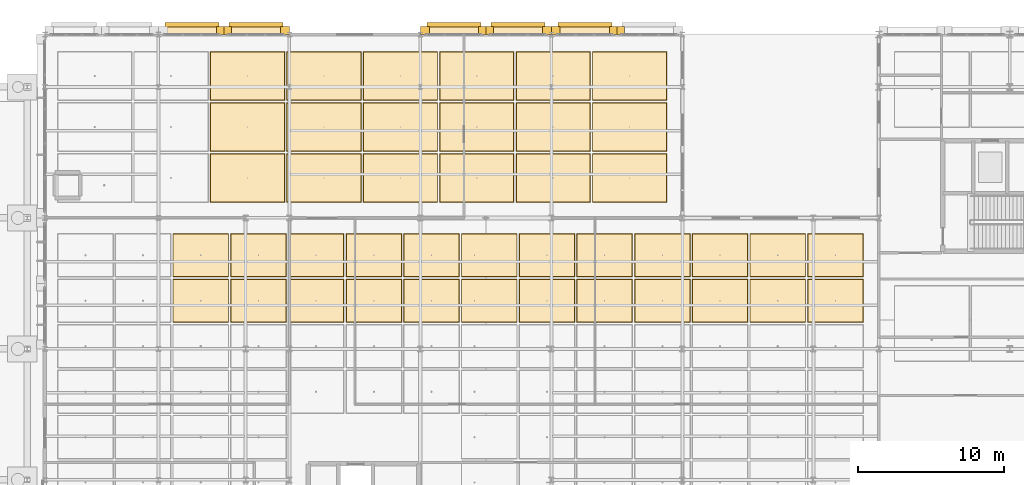
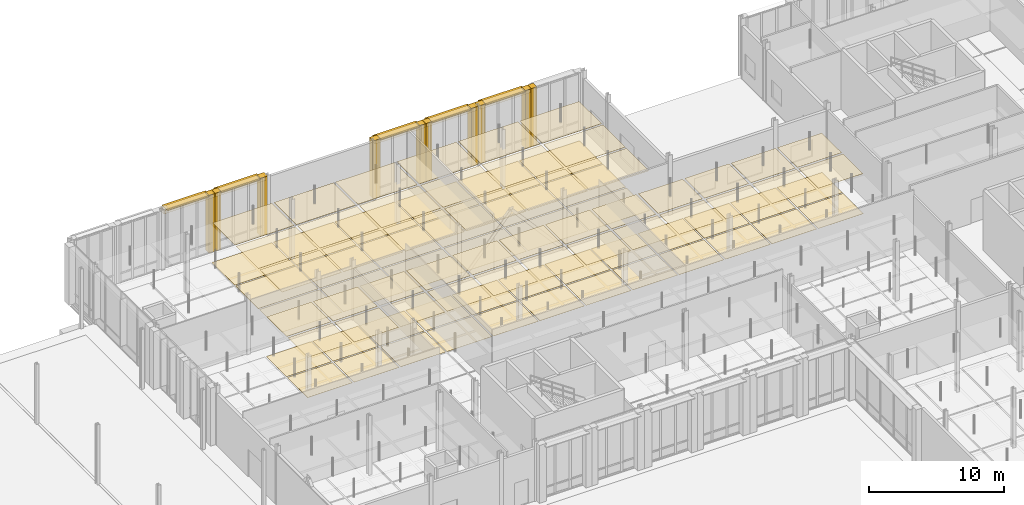
# One storey, part 175 of 180: 99 coverings, 5 shading devices.
"""IFC4 building model written with IfcOpenShell, lengths in metres."""

from ifc_helpers import new_model, si_unit, direction, frame, origin, origin_2d, place, context, subcontext, project, spatial, rectangle, extrude, material, layer, layer_set, type_object, element, save


model = new_model("IFC4")

# Units and contexts
model_context = context("Model", 3, precision=1e-05, world=origin(), true_north=direction((0.0, 1.0)))
body_context = subcontext(model_context, "Body", "Model", "MODEL_VIEW")
ifc_project = project(units=[si_unit("LENGTHUNIT", "METRE"), si_unit("AREAUNIT", "SQUARE_METRE"), si_unit("VOLUMEUNIT", "CUBIC_METRE"), si_unit("PLANEANGLEUNIT", "RADIAN"), si_unit("MASSUNIT", "GRAM", prefix="KILO"), si_unit("THERMODYNAMICTEMPERATUREUNIT", "KELVIN"), si_unit("POWERUNIT", "WATT")], contexts=[model_context])

# Site, building, storey
site_placement = place(None, origin())
site = spatial("IfcSite", under=ifc_project, at=site_placement, CompositionType="ELEMENT")
building_placement = place(site_placement, origin())
building = spatial("IfcBuilding", under=site, at=building_placement, Name="Tallowbark Science Centre", CompositionType="ELEMENT")
storey_placement = place(building_placement, origin())
storey = spatial("IfcBuildingStorey", under=building, at=storey_placement, Name="L00", CompositionType="ELEMENT", Elevation=0.0)

# Coverings
ifc_material_1 = material(Name="Cleanable Vinyl-Faced Laboratory Ceiling Tile")
ifc_layer_1 = layer(ifc_material_1, 0.01611328125)
ifc_layer_set_1 = layer_set([ifc_layer_1], Name="Cleanable Vinyl-Faced Laboratory Ceiling Tile")
covering_type_1 = type_object("IfcCoveringType", Name="CLG-LAB-16", PredefinedType="CEILING", material=ifc_layer_set_1)
for number, where, z_axis, x_axis, name in (
    (1, (65.91064453125, 93.3125, 3.592041015625), (0.0, 0.0, 1.0), (1.0, 0.0, 0.0), "Suspended Ceiling L00-319"),
    (2, (65.91064453125, 96.4375, 3.592041015625), (0.0, 0.0, 1.0), (1.0, 0.0, 0.0), "Suspended Ceiling L00-320"),
    (3, (69.875, 93.3125, 3.592041015625), (0.0, 0.0, 1.0), (1.0, 0.0, 0.0), "Suspended Ceiling L00-327"),
    (4, (69.875, 96.4375, 3.592041015625), (0.0, 0.0, 1.0), (1.0, 0.0, 0.0), "Suspended Ceiling L00-328"),
    (5, (73.83935546875, 93.3125, 3.592041015625), (0.0, 0.0, 1.0), (1.0, 0.0, 0.0), "Suspended Ceiling L00-331"),
    (6, (73.83935546875, 96.4375, 3.592041015625), (0.0, 0.0, 1.0), (1.0, 0.0, 0.0), "Suspended Ceiling L00-332"),
    (7, (77.8037109375, 93.3125, 3.592041015625), (0.0, 0.0, 1.0), (1.0, 0.0, 0.0), "Suspended Ceiling L00-335"),
    (8, (77.8037109375, 96.4375, 3.592041015625), (0.0, 0.0, 1.0), (1.0, 0.0, 0.0), "Suspended Ceiling L00-336"),
    (9, (81.767822265625, 93.3125, 3.592041015625), (0.0, 0.0, 1.0), (1.0, 0.0, 0.0), "Suspended Ceiling L00-339"),
    (10, (81.767822265625, 96.4375, 3.592041015625), (0.0, 0.0, 1.0), (1.0, 0.0, 0.0), "Suspended Ceiling L00-340"),
    (11, (85.732177734375, 93.3125, 3.592041015625), (0.0, 0.0, 1.0), (1.0, 0.0, 0.0), "Suspended Ceiling L00-347"),
    (12, (85.732177734375, 96.4375, 3.592041015625), (0.0, 0.0, 1.0), (1.0, 0.0, 0.0), "Suspended Ceiling L00-348"),
    (13, (89.6962890625, 93.3125, 3.592041015625), (0.0, 0.0, 1.0), (1.0, 0.0, 0.0), "Suspended Ceiling L00-355"),
    (14, (89.6962890625, 96.4375, 3.592041015625), (0.0, 0.0, 1.0), (1.0, 0.0, 0.0), "Suspended Ceiling L00-356"),
    (15, (93.66064453125, 93.3125, 3.592041015625), (0.0, 0.0, 1.0), (1.0, 0.0, 0.0), "Suspended Ceiling L00-363"),
    (16, (93.66064453125, 96.4375, 3.592041015625), (0.0, 0.0, 1.0), (1.0, 0.0, 0.0), "Suspended Ceiling L00-364"),
    (17, (97.625, 93.3125, 3.592041015625), (0.0, 0.0, 1.0), (1.0, 0.0, 0.0), "Suspended Ceiling L00-371"),
    (18, (97.625, 96.4375, 3.592041015625), (0.0, 0.0, 1.0), (1.0, 0.0, 0.0), "Suspended Ceiling L00-372"),
    (19, (101.58935546875, 93.3125, 3.592041015625), (0.0, 0.0, 1.0), (1.0, 0.0, 0.0), "Suspended Ceiling L00-379"),
    (20, (101.58935546875, 96.4375, 3.592041015625), (0.0, 0.0, 1.0), (1.0, 0.0, 0.0), "Suspended Ceiling L00-380"),
    (21, (105.5537109375, 93.3125, 3.592041015625), (0.0, 0.0, 1.0), (1.0, 0.0, 0.0), "Suspended Ceiling L00-387"),
    (22, (105.5537109375, 96.4375, 3.592041015625), (0.0, 0.0, 1.0), (1.0, 0.0, 0.0), "Suspended Ceiling L00-388"),
    (23, (109.517822265625, 93.3125, 3.592041015625), (0.0, 0.0, 1.0), (1.0, 0.0, 0.0), "Suspended Ceiling L00-395"),
    (24, (109.517822265625, 96.4375, 3.592041015625), (0.0, 0.0, 1.0), (1.0, 0.0, 0.0), "Suspended Ceiling L00-396"),
):
    element("IfcCovering", number, at=place(storey_placement, frame(where, z_axis=z_axis, x_axis=x_axis)), inside=storey, type_object=covering_type_1, Name=name, PredefinedType="CEILING", context=body_context, shape_type="SweptSolid", body=[
        extrude(rectangle(XDim=3.7841796875, YDim=2.945068359375, at=origin_2d()), origin(), (0.0, 0.0, 1.0), 0.01611328125),
    ])
ifc_material_2 = material(Name="Perforated Spotted Gum Acoustic Baffle Ceiling", Category="wood")
ifc_layer_2 = layer(ifc_material_2, 0.02490234375)
ifc_layer_set_2 = layer_set([ifc_layer_2], Name="Perforated Spotted Gum Acoustic Baffle Ceiling")
covering_type_2 = type_object("IfcCoveringType", Name="CLG-TIM-25", PredefinedType="CEILING", material=ifc_layer_set_2)
for number, where, z_axis, x_axis, name in (
    (25, (69.125, 101.75, 3.587646484375), (0.0, 0.0, 1.0), (1.0, 0.0, 0.0), "Suspended Ceiling L00-403"),
    (26, (69.125, 105.25, 3.587646484375), (0.0, 0.0, 1.0), (1.0, 0.0, 0.0), "Suspended Ceiling L00-404"),
    (27, (69.125, 108.75, 3.587646484375), (0.0, 0.0, 1.0), (1.0, 0.0, 0.0), "Suspended Ceiling L00-405"),
    (28, (74.375, 101.75, 3.587646484375), (0.0, 0.0, 1.0), (1.0, 0.0, 0.0), "Suspended Ceiling L00-406"),
    (29, (74.375, 105.25, 3.587646484375), (0.0, 0.0, 1.0), (1.0, 0.0, 0.0), "Suspended Ceiling L00-407"),
    (30, (74.375, 108.75, 3.587646484375), (0.0, 0.0, 1.0), (1.0, 0.0, 0.0), "Suspended Ceiling L00-408"),
    (31, (79.625, 101.75, 3.587646484375), (0.0, 0.0, 1.0), (1.0, 0.0, 0.0), "Suspended Ceiling L00-409"),
    (32, (79.625, 105.25, 3.587646484375), (0.0, 0.0, 1.0), (1.0, 0.0, 0.0), "Suspended Ceiling L00-410"),
    (33, (79.625, 108.75, 3.587646484375), (0.0, 0.0, 1.0), (1.0, 0.0, 0.0), "Suspended Ceiling L00-411"),
    (34, (84.875, 101.75, 3.587646484375), (0.0, 0.0, 1.0), (1.0, 0.0, 0.0), "Suspended Ceiling L00-412"),
    (35, (84.875, 105.25, 3.587646484375), (0.0, 0.0, 1.0), (1.0, 0.0, 0.0), "Suspended Ceiling L00-413"),
    (36, (84.875, 108.75, 3.587646484375), (0.0, 0.0, 1.0), (1.0, 0.0, 0.0), "Suspended Ceiling L00-414"),
    (37, (90.125, 101.75, 3.587646484375), (0.0, 0.0, 1.0), (1.0, 0.0, 0.0), "Suspended Ceiling L00-415"),
    (38, (90.125, 105.25, 3.587646484375), (0.0, 0.0, 1.0), (1.0, 0.0, 0.0), "Suspended Ceiling L00-416"),
    (39, (90.125, 108.75, 3.587646484375), (0.0, 0.0, 1.0), (1.0, 0.0, 0.0), "Suspended Ceiling L00-417"),
    (40, (95.375, 101.75, 3.587646484375), (0.0, 0.0, 1.0), (1.0, 0.0, 0.0), "Suspended Ceiling L00-418"),
    (41, (95.375, 105.25, 3.587646484375), (0.0, 0.0, 1.0), (1.0, 0.0, 0.0), "Suspended Ceiling L00-419"),
    (42, (95.375, 108.75, 3.587646484375), (0.0, 0.0, 1.0), (1.0, 0.0, 0.0), "Suspended Ceiling L00-420"),
):
    element("IfcCovering", number, at=place(storey_placement, frame(where, z_axis=z_axis, x_axis=x_axis)), inside=storey, type_object=covering_type_2, Name=name, PredefinedType="CEILING", context=body_context, shape_type="SweptSolid", body=[
        extrude(rectangle(XDim=5.070068359375, YDim=3.320068359375, at=origin_2d()), origin(), (0.0, 0.0, 1.0), 0.02490234375),
    ])
ifc_material_3 = material(Name="White Architectural Precast Concrete Grade N40 (40 MPa)", Category="concrete")
ifc_layer_3 = layer(ifc_material_3, 0.1201171875)
ifc_layer_set_3 = layer_set([ifc_layer_3], Name="White Architectural Precast Concrete Grade N40 (40 MPa)")
covering_type_3 = type_object("IfcCoveringType", Name="COV-PRC-CLAD", PredefinedType="CLADDING", material=ifc_layer_set_3)
covering_1_placement = place(storey_placement, frame((71.695068359375, 111.8798828125, 0.0), z_axis=(0.0, 0.0, 1.0), x_axis=(-1.0, 0.0, 0.0)))
element("IfcCovering", 43, at=covering_1_placement, inside=storey, type_object=covering_type_3, Name="Postmodern Deep Precast Pier CW-L00-032-1", PredefinedType="CLADDING", context=body_context, shape_type="SweptSolid", body=[
    extrude(rectangle(XDim=0.610107421875, YDim=0.56005859375, at=origin_2d()), origin(), (0.0, 0.0, 1.0), 5.219970703125),
])
for number, where, z_axis, x_axis, name in (
    (44, (67.7548828125, 111.8798828125, 0.0), (0.0, 0.0, 1.0), (-1.0, 0.0, 0.0), "Postmodern Deep Precast Pier CW-L00-032-2"),
    (45, (67.2451171875, 111.8798828125, 0.0), (0.0, 0.0, 1.0), (-1.0, 0.0, 0.0), "Postmodern Deep Precast Pier CW-L00-033-1"),
):
    element("IfcCovering", number, at=place(storey_placement, frame(where, z_axis=z_axis, x_axis=x_axis)), inside=storey, type_object=covering_type_3, Name=name, PredefinedType="CLADDING", context=body_context, shape_type="SweptSolid", body=[
        extrude(rectangle(XDim=0.510009765625, YDim=0.56005859375, at=origin_2d()), origin(), (0.0, 0.0, 1.0), 5.219970703125),
    ])
covering_2_placement = place(storey_placement, frame((89.695068359375, 111.8798828125, 0.0), z_axis=(0.0, 0.0, 1.0), x_axis=(-1.0, 0.0, 0.0)))
element("IfcCovering", 46, at=covering_2_placement, inside=storey, type_object=covering_type_3, Name="Postmodern Deep Precast Pier CW-L00-034-1", PredefinedType="CLADDING", context=body_context, shape_type="SweptSolid", body=[
    extrude(rectangle(XDim=0.610107421875, YDim=0.56005859375, at=origin_2d()), origin(), (0.0, 0.0, 1.0), 5.219970703125),
])
for number, where, z_axis, x_axis, name in (
    (47, (85.7548828125, 111.8798828125, 0.0), (0.0, 0.0, 1.0), (-1.0, 0.0, 0.0), "Postmodern Deep Precast Pier CW-L00-034-2"),
    (48, (85.2451171875, 111.8798828125, 0.0), (0.0, 0.0, 1.0), (-1.0, 0.0, 0.0), "Postmodern Deep Precast Pier CW-L00-035-1"),
):
    element("IfcCovering", number, at=place(storey_placement, frame(where, z_axis=z_axis, x_axis=x_axis)), inside=storey, type_object=covering_type_3, Name=name, PredefinedType="CLADDING", context=body_context, shape_type="SweptSolid", body=[
        extrude(rectangle(XDim=0.510009765625, YDim=0.56005859375, at=origin_2d()), origin(), (0.0, 0.0, 1.0), 5.219970703125),
    ])
covering_3_placement = place(storey_placement, frame((81.304931640625, 111.8798828125, 0.0), z_axis=(0.0, 0.0, 1.0), x_axis=(-1.0, 0.0, 0.0)))
element("IfcCovering", 49, at=covering_3_placement, inside=storey, type_object=covering_type_3, Name="Postmodern Deep Precast Pier CW-L00-035-2", PredefinedType="CLADDING", context=body_context, shape_type="SweptSolid", body=[
    extrude(rectangle(XDim=0.610107421875, YDim=0.56005859375, at=origin_2d()), origin(), (0.0, 0.0, 1.0), 5.219970703125),
])
for number, where, z_axis, x_axis, name in (
    (50, (94.7548828125, 111.8798828125, 0.0), (0.0, 0.0, 1.0), (-1.0, 0.0, 0.0), "Postmodern Deep Precast Pier CW-L00-036-2"),
    (51, (94.2451171875, 111.8798828125, 0.0), (0.0, 0.0, 1.0), (-1.0, 0.0, 0.0), "Postmodern Deep Precast Pier CW-L00-037-1"),
):
    element("IfcCovering", number, at=place(storey_placement, frame(where, z_axis=z_axis, x_axis=x_axis)), inside=storey, type_object=covering_type_3, Name=name, PredefinedType="CLADDING", context=body_context, shape_type="SweptSolid", body=[
        extrude(rectangle(XDim=0.510009765625, YDim=0.56005859375, at=origin_2d()), origin(), (0.0, 0.0, 1.0), 5.219970703125),
    ])
covering_4_placement = place(storey_placement, frame((90.304931640625, 111.8798828125, 0.0), z_axis=(0.0, 0.0, 1.0), x_axis=(-1.0, 0.0, 0.0)))
element("IfcCovering", 52, at=covering_4_placement, inside=storey, type_object=covering_type_3, Name="Postmodern Deep Precast Pier CW-L00-037-2", PredefinedType="CLADDING", context=body_context, shape_type="SweptSolid", body=[
    extrude(rectangle(XDim=0.610107421875, YDim=0.56005859375, at=origin_2d()), origin(), (0.0, 0.0, 1.0), 5.219970703125),
])
ifc_material_4 = material(Name="Vitrified Ochre Terracotta Architectural Rainscreen", Category="masonry")
ifc_layer_4 = layer(ifc_material_4, 0.0380859375)
ifc_layer_set_4 = layer_set([ifc_layer_4], Name="Vitrified Ochre Terracotta Architectural Rainscreen")
covering_type_4 = type_object("IfcCoveringType", Name="COV-TER-CLAD", PredefinedType="CLADDING", material=ifc_layer_set_4)
for number, where, z_axis, x_axis, name in (
    (53, (69.699951171875, 111.860107421875, 4.8701171875), (0.0, 0.0, 1.0), (-1.0, 0.0, 0.0), "Postmodern Terracotta Cornice Band CW-L00-032"),
    (54, (65.300048828125, 111.860107421875, 4.8701171875), (0.0, 0.0, 1.0), (-1.0, 0.0, 0.0), "Postmodern Terracotta Cornice Band CW-L00-033"),
    (55, (87.699951171875, 111.860107421875, 4.8701171875), (0.0, 0.0, 1.0), (-1.0, 0.0, 0.0), "Postmodern Terracotta Cornice Band CW-L00-034"),
    (56, (83.300048828125, 111.860107421875, 4.8701171875), (0.0, 0.0, 1.0), (-1.0, 0.0, 0.0), "Postmodern Terracotta Cornice Band CW-L00-035"),
    (57, (92.300048828125, 111.860107421875, 4.8701171875), (0.0, 0.0, 1.0), (-1.0, 0.0, 0.0), "Postmodern Terracotta Cornice Band CW-L00-037"),
):
    element("IfcCovering", number, at=place(storey_placement, frame(where, z_axis=z_axis, x_axis=x_axis)), inside=storey, type_object=covering_type_4, Name=name, PredefinedType="CLADDING", context=body_context, shape_type="SweptSolid", body=[
        extrude(rectangle(XDim=4.300048828125, YDim=0.52001953125, at=origin_2d()), origin(), (0.0, 0.0, 1.0), 0.340087890625),
    ])
ifc_material_5 = material(Name="Polished Recycled-Glass Terrazzo Foyer Flooring", Category="glass")
ifc_layer_5 = layer(ifc_material_5, 0.02001953125)
ifc_layer_set_5 = layer_set([ifc_layer_5], Name="Polished Recycled-Glass Terrazzo Foyer Flooring")
covering_type_5 = type_object("IfcCoveringType", Name="FLR-TER-20", PredefinedType="FLOORING", material=ifc_layer_set_5)
for number, where, z_axis, x_axis, name in (
    (58, (69.125, 101.75, 0.0), (0.0, 0.0, 1.0), (1.0, 0.0, 0.0), "Floor Finish L00-403"),
    (59, (69.125, 105.25, 0.0), (0.0, 0.0, 1.0), (1.0, 0.0, 0.0), "Floor Finish L00-404"),
    (60, (69.125, 108.75, 0.0), (0.0, 0.0, 1.0), (1.0, 0.0, 0.0), "Floor Finish L00-405"),
    (61, (74.375, 101.75, 0.0), (0.0, 0.0, 1.0), (1.0, 0.0, 0.0), "Floor Finish L00-406"),
    (62, (74.375, 105.25, 0.0), (0.0, 0.0, 1.0), (1.0, 0.0, 0.0), "Floor Finish L00-407"),
    (63, (74.375, 108.75, 0.0), (0.0, 0.0, 1.0), (1.0, 0.0, 0.0), "Floor Finish L00-408"),
    (64, (79.625, 101.75, 0.0), (0.0, 0.0, 1.0), (1.0, 0.0, 0.0), "Floor Finish L00-409"),
    (65, (79.625, 105.25, 0.0), (0.0, 0.0, 1.0), (1.0, 0.0, 0.0), "Floor Finish L00-410"),
    (66, (79.625, 108.75, 0.0), (0.0, 0.0, 1.0), (1.0, 0.0, 0.0), "Floor Finish L00-411"),
    (67, (84.875, 101.75, 0.0), (0.0, 0.0, 1.0), (1.0, 0.0, 0.0), "Floor Finish L00-412"),
    (68, (84.875, 105.25, 0.0), (0.0, 0.0, 1.0), (1.0, 0.0, 0.0), "Floor Finish L00-413"),
    (69, (84.875, 108.75, 0.0), (0.0, 0.0, 1.0), (1.0, 0.0, 0.0), "Floor Finish L00-414"),
    (70, (90.125, 101.75, 0.0), (0.0, 0.0, 1.0), (1.0, 0.0, 0.0), "Floor Finish L00-415"),
    (71, (90.125, 105.25, 0.0), (0.0, 0.0, 1.0), (1.0, 0.0, 0.0), "Floor Finish L00-416"),
    (72, (90.125, 108.75, 0.0), (0.0, 0.0, 1.0), (1.0, 0.0, 0.0), "Floor Finish L00-417"),
    (73, (95.375, 101.75, 0.0), (0.0, 0.0, 1.0), (1.0, 0.0, 0.0), "Floor Finish L00-418"),
    (74, (95.375, 105.25, 0.0), (0.0, 0.0, 1.0), (1.0, 0.0, 0.0), "Floor Finish L00-419"),
    (75, (95.375, 108.75, 0.0), (0.0, 0.0, 1.0), (1.0, 0.0, 0.0), "Floor Finish L00-420"),
):
    element("IfcCovering", number, at=place(storey_placement, frame(where, z_axis=z_axis, x_axis=x_axis)), inside=storey, type_object=covering_type_5, Name=name, PredefinedType="FLOORING", context=body_context, shape_type="SweptSolid", body=[
        extrude(rectangle(XDim=5.1298828125, YDim=3.3798828125, at=origin_2d()), origin(), (0.0, 0.0, 1.0), 0.02001953125),
    ])
ifc_material_6 = material(Name="Chemical-Resistant Seamless Laboratory Vinyl")
ifc_layer_6 = layer(ifc_material_6, 0.011962890625)
ifc_layer_set_6 = layer_set([ifc_layer_6], Name="Chemical-Resistant Seamless Laboratory Vinyl")
covering_type_6 = type_object("IfcCoveringType", Name="FLR-VIN-12", PredefinedType="FLOORING", material=ifc_layer_set_6)
for number, where, z_axis, x_axis, name in (
    (76, (65.91064453125, 93.3125, 0.0), (0.0, 0.0, 1.0), (1.0, 0.0, 0.0), "Floor Finish L00-319"),
    (77, (65.91064453125, 96.4375, 0.0), (0.0, 0.0, 1.0), (1.0, 0.0, 0.0), "Floor Finish L00-320"),
    (78, (69.875, 93.3125, 0.0), (0.0, 0.0, 1.0), (1.0, 0.0, 0.0), "Floor Finish L00-327"),
    (79, (69.875, 96.4375, 0.0), (0.0, 0.0, 1.0), (1.0, 0.0, 0.0), "Floor Finish L00-328"),
    (80, (73.83935546875, 93.3125, 0.0), (0.0, 0.0, 1.0), (1.0, 0.0, 0.0), "Floor Finish L00-331"),
    (81, (73.83935546875, 96.4375, 0.0), (0.0, 0.0, 1.0), (1.0, 0.0, 0.0), "Floor Finish L00-332"),
    (82, (77.8037109375, 93.3125, 0.0), (0.0, 0.0, 1.0), (1.0, 0.0, 0.0), "Floor Finish L00-335"),
    (83, (77.8037109375, 96.4375, 0.0), (0.0, 0.0, 1.0), (1.0, 0.0, 0.0), "Floor Finish L00-336"),
    (84, (81.767822265625, 93.3125, 0.0), (0.0, 0.0, 1.0), (1.0, 0.0, 0.0), "Floor Finish L00-339"),
    (85, (81.767822265625, 96.4375, 0.0), (0.0, 0.0, 1.0), (1.0, 0.0, 0.0), "Floor Finish L00-340"),
    (86, (85.732177734375, 93.3125, 0.0), (0.0, 0.0, 1.0), (1.0, 0.0, 0.0), "Floor Finish L00-347"),
    (87, (85.732177734375, 96.4375, 0.0), (0.0, 0.0, 1.0), (1.0, 0.0, 0.0), "Floor Finish L00-348"),
    (88, (89.6962890625, 93.3125, 0.0), (0.0, 0.0, 1.0), (1.0, 0.0, 0.0), "Floor Finish L00-355"),
    (89, (89.6962890625, 96.4375, 0.0), (0.0, 0.0, 1.0), (1.0, 0.0, 0.0), "Floor Finish L00-356"),
    (90, (93.66064453125, 93.3125, 0.0), (0.0, 0.0, 1.0), (1.0, 0.0, 0.0), "Floor Finish L00-363"),
    (91, (93.66064453125, 96.4375, 0.0), (0.0, 0.0, 1.0), (1.0, 0.0, 0.0), "Floor Finish L00-364"),
    (92, (97.625, 93.3125, 0.0), (0.0, 0.0, 1.0), (1.0, 0.0, 0.0), "Floor Finish L00-371"),
    (93, (97.625, 96.4375, 0.0), (0.0, 0.0, 1.0), (1.0, 0.0, 0.0), "Floor Finish L00-372"),
    (94, (101.58935546875, 93.3125, 0.0), (0.0, 0.0, 1.0), (1.0, 0.0, 0.0), "Floor Finish L00-379"),
    (95, (101.58935546875, 96.4375, 0.0), (0.0, 0.0, 1.0), (1.0, 0.0, 0.0), "Floor Finish L00-380"),
    (96, (105.5537109375, 93.3125, 0.0), (0.0, 0.0, 1.0), (1.0, 0.0, 0.0), "Floor Finish L00-387"),
    (97, (105.5537109375, 96.4375, 0.0), (0.0, 0.0, 1.0), (1.0, 0.0, 0.0), "Floor Finish L00-388"),
    (98, (109.517822265625, 93.3125, 0.0), (0.0, 0.0, 1.0), (1.0, 0.0, 0.0), "Floor Finish L00-395"),
    (99, (109.517822265625, 96.4375, 0.0), (0.0, 0.0, 1.0), (1.0, 0.0, 0.0), "Floor Finish L00-396"),
):
    element("IfcCovering", number, at=place(storey_placement, frame(where, z_axis=z_axis, x_axis=x_axis)), inside=storey, type_object=covering_type_6, Name=name, PredefinedType="FLOORING", context=body_context, shape_type="SweptSolid", body=[
        extrude(rectangle(XDim=3.84423828125, YDim=3.0048828125, at=origin_2d()), origin(), (0.0, 0.0, 1.0), 0.011962890625),
    ])

# Shading devices
ifc_material_7 = material(Name="Terracotta-Anodised Extruded Aluminium Sunshade Blade", Category="masonry")
ifc_layer_7 = layer(ifc_material_7, 0.054931640625)
ifc_layer_set_7 = layer_set([ifc_layer_7], Name="Terracotta-Anodised Extruded Aluminium Sunshade Blade")
shading_device_type = type_object("IfcShadingDeviceType", Name="SHD-LVR-300", PredefinedType="AWNING", material=ifc_layer_set_7)
for number, where, z_axis, x_axis, name in (
    (100, (69.699951171875, 112.02001953125, 5.03271484375), (0.0, 0.0, 1.0), (-1.0, 0.0, 0.0), "Horizontal Solar Louvre Hood CW-L00-032"),
    (101, (65.300048828125, 112.02001953125, 5.03271484375), (0.0, 0.0, 1.0), (-1.0, 0.0, 0.0), "Horizontal Solar Louvre Hood CW-L00-033"),
    (102, (87.699951171875, 112.02001953125, 5.03271484375), (0.0, 0.0, 1.0), (-1.0, 0.0, 0.0), "Horizontal Solar Louvre Hood CW-L00-034"),
    (103, (83.300048828125, 112.02001953125, 5.03271484375), (0.0, 0.0, 1.0), (-1.0, 0.0, 0.0), "Horizontal Solar Louvre Hood CW-L00-035"),
    (104, (92.300048828125, 112.02001953125, 5.03271484375), (0.0, 0.0, 1.0), (-1.0, 0.0, 0.0), "Horizontal Solar Louvre Hood CW-L00-037"),
):
    element("IfcShadingDevice", number, at=place(storey_placement, frame(where, z_axis=z_axis, x_axis=x_axis)), inside=storey, type_object=shading_device_type, Name=name, PredefinedType="AWNING", context=body_context, shape_type="SweptSolid", body=[
        extrude(rectangle(XDim=3.699951171875, YDim=0.840087890625, at=origin_2d()), origin(), (0.0, 0.0, 1.0), 0.054931640625),
    ])

save(model, "model.ifc")
